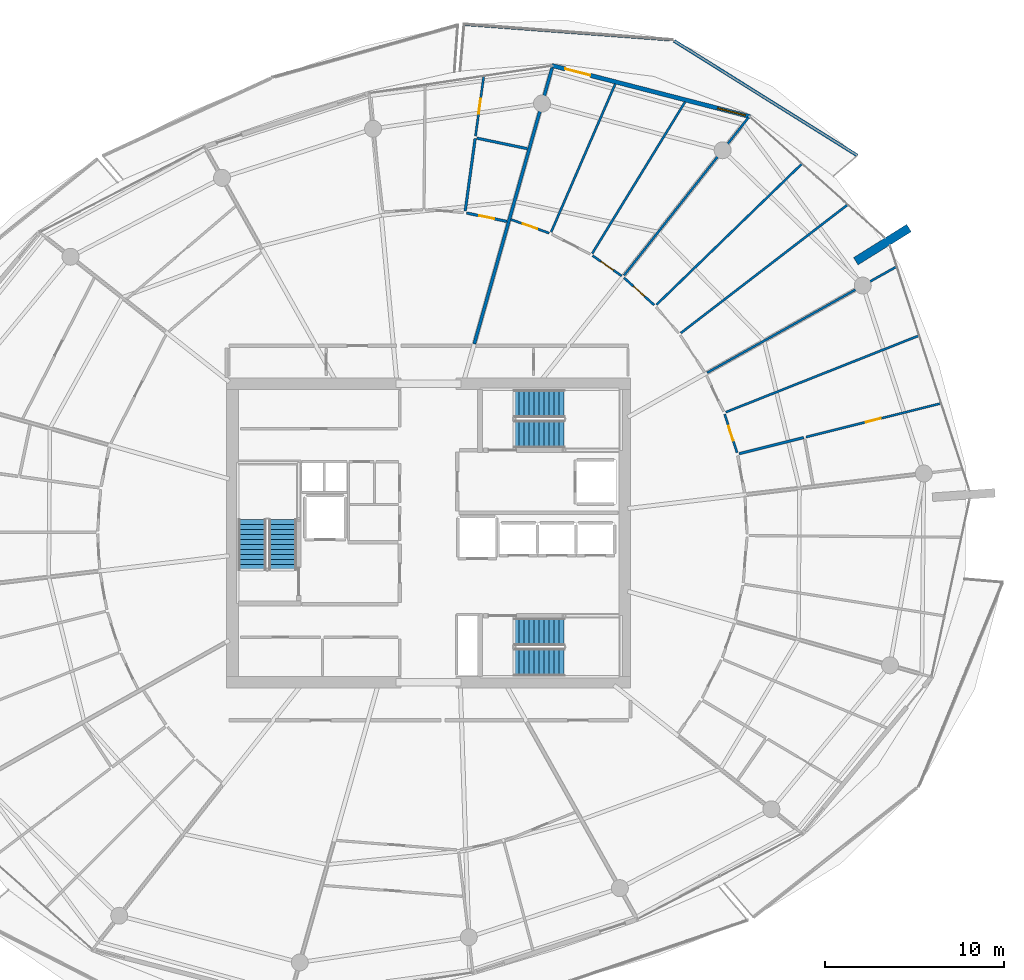
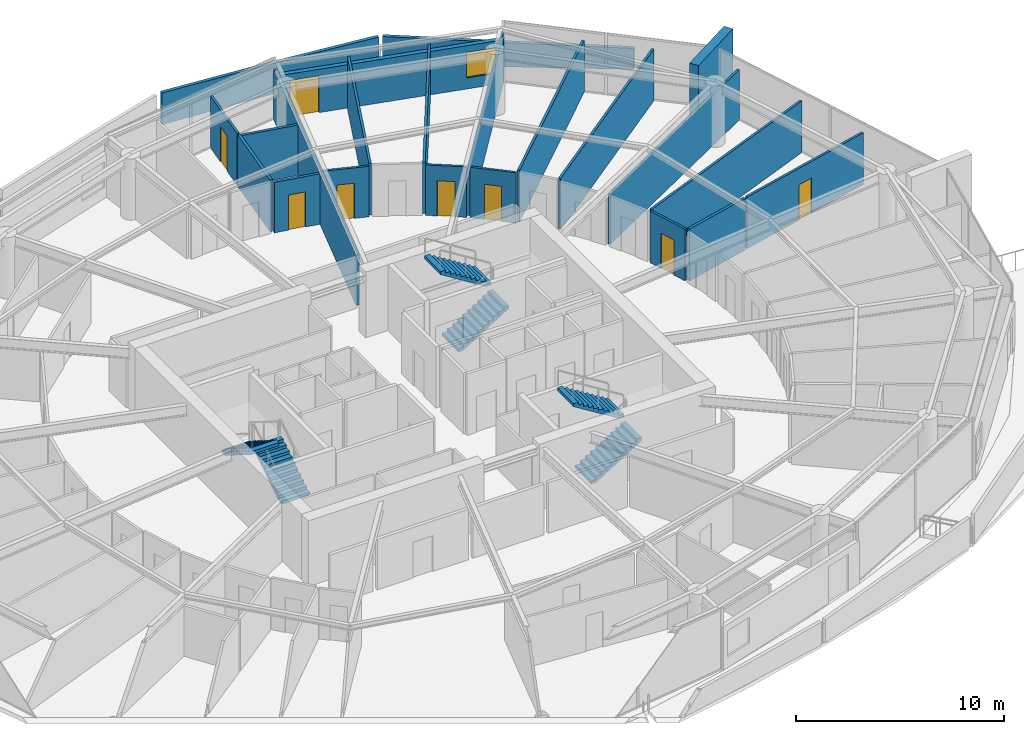
# One storey, part 22 of 29: 22 walls, 8 doors, 6 stair flights, 1 window, 9 openings, 3 elements without a shape of their own.
"""IFC4 building model written with IfcOpenShell, lengths in metres."""

from ifc_helpers import new_model, si_unit, direction, frame, frame_2d, origin, place, context, subcontext, project, spatial, polyline, rectangle, outline, extrude, material, layer, layer_set, type_object, element, fill, aggregate, save


model = new_model("IFC4")

# Units and contexts
model_context = context("Model", 3, precision=1e-05, world=origin(), true_north=direction((0.0, 1.0)))
body_context = subcontext(model_context, "Body", "Model", "MODEL_VIEW")
ifc_project = project(units=[si_unit("LENGTHUNIT", "METRE"), si_unit("AREAUNIT", "SQUARE_METRE"), si_unit("VOLUMEUNIT", "CUBIC_METRE"), si_unit("PLANEANGLEUNIT", "RADIAN"), si_unit("MASSUNIT", "GRAM", prefix="KILO")], contexts=[model_context])

# Site, building, storey
site_placement = place(None, origin())
site = spatial("IfcSite", under=ifc_project, at=site_placement, CompositionType="ELEMENT")
building_placement = place(site_placement, origin())
building = spatial("IfcBuilding", under=site, at=building_placement, Name="Kazma Halo Residences", CompositionType="ELEMENT")
storey_placement = place(building_placement, frame((0.0, 0.0, 252.10009765625)))
storey = spatial("IfcBuildingStorey", under=building, at=storey_placement, Name="L63", CompositionType="ELEMENT", Elevation=252.10009765625)

# Walls
ifc_material_1 = material(Name="White Concrete C50/60 Balustrade", Category="concrete")
ifc_layer_1 = layer(ifc_material_1, 0.179931640625)
ifc_layer_set_1 = layer_set([ifc_layer_1], Name="White Concrete C50/60 Balustrade")
wall_type_1 = type_object("IfcWallType", Name="WL-BAL-WAVE-180", PredefinedType="PARAPET", material=ifc_layer_set_1)
wall_1_placement = place(storey_placement, frame((72.371337890625, 63.073974609375, 0.0), z_axis=(0.0, 0.0, 1.0), x_axis=(-0.847743764475, 0.53040598582, 0.0)))
element("IfcWall", 1, at=wall_1_placement, inside=storey, type_object=wall_type_1, Name="L63 white wave balustrade wall NE.1", PredefinedType="PARAPET", context=body_context, shape_type="SweptSolid", body=[
    extrude(outline(polyline([(0.0, 0.0), (12.07470703125, 0.0), (12.07470703125, 1.6318359375), (6.037353515625, 1.41796875), (0.0, 1.23291015625), (0.0, 0.0)])), frame((0.0, 0.08984375, 0.0), z_axis=(0.0, -1.0, 0.0), x_axis=(1.0, 0.0, 0.0)), (0.0, 0.0, 1.0), 0.179931640625),
])
wall_2_placement = place(storey_placement, frame((61.913818359375, 69.551025390625, 0.0), z_axis=(0.0, 0.0, 1.0), x_axis=(-0.997192518369, 0.074880446769, 0.0)))
element("IfcWall", 2, at=wall_2_placement, inside=storey, type_object=wall_type_1, Name="L63 white wave balustrade wall NE.2", PredefinedType="PARAPET", context=body_context, shape_type="SweptSolid", body=[
    extrude(outline(polyline([(0.0, 0.0), (11.535400390625, 0.0), (11.53515625, 1.85986328125), (5.767578125, 1.7978515625), (0.0, 1.6318359375), (0.0, 0.0)])), frame((0.0, 0.08984375, 0.0), z_axis=(0.0, -1.0, 0.0), x_axis=(1.0, 0.0, 0.0)), (0.0, 0.0, 1.0), 0.179931640625),
])
ifc_material_2 = material(Name="Pale Concrete C60/75", Category="concrete")
ifc_layer_2 = layer(ifc_material_2, 0.47998046875)
ifc_layer_set_2 = layer_set([ifc_layer_2], Name="Pale Concrete C60/75")
wall_type_2 = type_object("IfcWallType", Name="WL-BLADE-480", PredefinedType="SOLIDWALL", material=ifc_layer_set_2)
wall_3_placement = place(storey_placement, frame((72.281494140625, 57.172607421875, 0.0), z_axis=(0.0, 0.0, 1.0), x_axis=(0.848033572426, 0.529942506352, 0.0)))
element("IfcWall", 3, at=wall_3_placement, inside=storey, type_object=wall_type_2, Name="L63 pale concrete structural blade fin wall BW-01", PredefinedType="SOLIDWALL", context=body_context, shape_type="SweptSolid", body=[
    extrude(rectangle(XDim=3.5, YDim=0.47998046875, at=frame_2d((1.75, 0.0))), origin(), (0.0, 0.0, 1.0), 3.849853515625),
])
ifc_material_3 = material(Name="Acoustic Twin-Stud Gypsum")
ifc_layer_3 = layer(ifc_material_3, 0.179931640625)
ifc_layer_set_3 = layer_set([ifc_layer_3], Name="Acoustic Twin-Stud Gypsum")
wall_type_3 = type_object("IfcWallType", Name="WL-DEM-180", PredefinedType="PARTITIONING", material=ifc_layer_set_3)
wall_4_placement = place(storey_placement, frame((50.97705078125, 52.555908203125, 0.0), z_axis=(0.0, 0.0, 1.0), x_axis=(0.271442063103, 0.962454781472, 0.0)))
element("IfcWall", 4, at=wall_4_placement, inside=storey, type_object=wall_type_3, Name="L63 apartment demising radial wall 02", PredefinedType="PARTITIONING", context=body_context, shape_type="SweptSolid", body=[
    extrude(rectangle(XDim=16.016845703125, YDim=0.179931640625, at=frame_2d((8.00830078125, 0.0))), origin(), (0.0, 0.0, 1.0), 2.956787109375),
])

# Wall, openings, door, window
ifc_material_4 = material(Name="Insulated Pale-Metal Composite Wall")
ifc_layer_4 = layer(ifc_material_4, 0.239990234375)
ifc_layer_set_4 = layer_set([ifc_layer_4], Name="Insulated Pale-Metal Composite Wall")
wall_type_4 = type_object("IfcWallType", Name="WL-EXT-HOST-240", PredefinedType="SOLIDWALL", material=ifc_layer_set_4)
wall_5_placement = place(storey_placement, frame((66.386474609375, 65.2490234375, 0.0), z_axis=(0.0, 0.0, 1.0), x_axis=(-0.968343758421, 0.249620442927, 0.0)))
wall_5 = element("IfcWall", 5, at=wall_5_placement, inside=storey, type_object=wall_type_4, Name="L63 exterior terrace-access wall B02", PredefinedType="SOLIDWALL", context=body_context, shape_type="SweptSolid", body=[
    extrude(rectangle(XDim=11.438232421875, YDim=0.239990234375, at=frame_2d((5.71923828125, 0.0))), origin(), (0.0, 0.0, 1.0), 2.539794921875),
])
opening_1_placement = place(wall_5_placement, frame((9.21826171875, 0.0, 0.0)))
opening_1 = element("IfcOpeningElement", 6, at=opening_1_placement, cuts=wall_5, Name="Opening DTR-1600", PredefinedType="OPENING", context=body_context, shape_type="SweptSolid", body=[
    extrude(rectangle(XDim=1.449951171875, YDim=2.14990234375, at=frame_2d((0.72509765625, 1.074951171875))), frame((0.0, 0.1298828125, 0.0), z_axis=(0.0, -1.0, 0.0), x_axis=(1.0, 0.0, 0.0)), (0.0, 0.0, 1.0), 0.260009765625),
])
opening_2_placement = place(wall_5_placement, frame((0.280029296875, 0.0, 0.64990234375)))
opening_2 = element("IfcOpeningElement", 7, at=opening_2_placement, cuts=wall_5, Name="Opening W-1800", PredefinedType="OPENING", context=body_context, shape_type="SweptSolid", body=[
    extrude(rectangle(XDim=1.60009765625, YDim=1.5, at=frame_2d((0.800048828125, 0.75))), frame((0.0, 0.1298828125, 0.0), z_axis=(0.0, -1.0, 0.0), x_axis=(1.0, 0.0, 0.0)), (0.0, 0.0, 1.0), 0.260009765625),
])
ifc_material_5 = material(Name="Aluminium AW-6063 T6 Double-Glazed Terrace Door", Category="aluminium")
door_type_1 = type_object("IfcDoorType", Name="DR-EXT-TERR-1600", OperationType="NOTDEFINED", PredefinedType="DOOR", material=ifc_material_5)
door_1_placement = place(opening_1_placement, origin())
door_1 = element("IfcDoor", 8, at=door_1_placement, inside=storey, type_object=door_type_1, Name="L63 B02 balcony terrace door", OperationType="DOUBLE_DOOR_SLIDING", OverallHeight=2.14990234375, OverallWidth=1.449951171875, PredefinedType="DOOR", context=body_context, shape_type="SweptSolid", body=[
    extrude(rectangle(XDim=1.449951171875, YDim=2.14990234375, at=frame_2d((0.72509765625, 1.074951171875))), frame((0.0, 0.02490234375, 0.0), z_axis=(0.0, -1.0, 0.0), x_axis=(1.0, 0.0, 0.0)), (0.0, 0.0, 1.0), 0.050048828125),
])
fill(opening_1, door_1)
ifc_material_6 = material(Name="Clear Triple-Silver Low-E Glass in Aluminium AW-6063 T6 Frame", Category="aluminium")
window_type = type_object("IfcWindowType", Name="WIN-RES-1800", PartitioningType="DOUBLE_PANEL_VERTICAL", PredefinedType="WINDOW", material=ifc_material_6)
window_placement = place(opening_2_placement, origin())
window = element("IfcWindow", 9, at=window_placement, inside=storey, type_object=window_type, Name="L63 B02 apartment window", OverallHeight=1.5, OverallWidth=1.60009765625, PartitioningType="SINGLE_PANEL", PredefinedType="WINDOW", context=body_context, shape_type="SweptSolid", body=[
    extrude(rectangle(XDim=1.60009765625, YDim=1.5, at=frame_2d((0.800048828125, 0.75))), frame((0.0, 0.030029296875, 0.0), z_axis=(0.0, -1.0, 0.0), x_axis=(1.0, 0.0, 0.0)), (0.0, 0.0, 1.0), 0.06005859375),
])
fill(opening_2, window)

# Wall, opening, door
ifc_material_7 = material(Name="Gypsum Plasterboard Partition")
ifc_layer_5 = layer(ifc_material_7, 0.125)
ifc_layer_set_5 = layer_set([ifc_layer_5], Name="Gypsum Plasterboard Partition")
wall_type_5 = type_object("IfcWallType", Name="WL-PART-125", PredefinedType="PARTITIONING", material=ifc_layer_set_5)
wall_6_placement = place(storey_placement, frame((51.046875, 64.155517578125, 0.0), z_axis=(0.0, 0.0, 1.0), x_axis=(0.13615601298, 0.990687407879, 0.0)))
wall_6 = element("IfcWall", 10, at=wall_6_placement, inside=storey, type_object=wall_type_5, Name="L63 Apartment 1 Utility Laundry Room partition wall", PredefinedType="PARTITIONING", context=body_context, shape_type="SweptSolid", body=[
    extrude(rectangle(XDim=3.36376953125, YDim=0.125, at=frame_2d((1.681884765625, 0.0))), origin(), (0.0, 0.0, 1.0), 3.02978515625),
])
opening_3_placement = place(wall_6_placement, frame((1.2568359375, 0.0, 0.0)))
opening_3 = element("IfcOpeningElement", 11, at=opening_3_placement, cuts=wall_6, Name="Opening DB-900", PredefinedType="OPENING", context=body_context, shape_type="SweptSolid", body=[
    extrude(rectangle(XDim=0.85009765625, YDim=2.06005859375, at=frame_2d((0.425048828125, 1.030029296875))), frame((0.0, 0.072509765625, 0.0), z_axis=(0.0, -1.0, 0.0), x_axis=(1.0, 0.0, 0.0)), (0.0, 0.0, 1.0), 0.14501953125),
])
ifc_material_8 = material(Name="Moisture-Sealed Timber Leaf", Category="wood")
door_type_2 = type_object("IfcDoorType", Name="DR-BTH-900", OperationType="NOTDEFINED", PredefinedType="DOOR", material=ifc_material_8)
door_2_placement = place(opening_3_placement, origin())
door_2 = element("IfcDoor", 12, at=door_2_placement, inside=storey, type_object=door_type_2, Name="L63 Apartment 1 Utility Laundry Room door", OperationType="SINGLE_SWING_LEFT", OverallHeight=2.06005859375, OverallWidth=0.85009765625, PredefinedType="DOOR", context=body_context, shape_type="SweptSolid", body=[
    extrude(rectangle(XDim=0.85009765625, YDim=2.06005859375, at=frame_2d((0.425048828125, 1.030029296875))), frame((0.0, 0.02490234375, 0.0), z_axis=(0.0, -1.0, 0.0), x_axis=(1.0, 0.0, 0.0)), (0.0, 0.0, 1.0), 0.050048828125),
])
fill(opening_3, door_2)

wall_7_placement = place(storey_placement, frame((69.499267578125, 47.3583984375, 0.0), z_axis=(0.0, 0.0, 1.0), x_axis=(0.970319890445, 0.241824957783, 0.0)))
wall_7 = element("IfcWall", 13, at=wall_7_placement, inside=storey, type_object=wall_type_5, Name="L63 Apartment 3 Inner Walk-In Wardrobe partition wall", PredefinedType="PARTITIONING", context=body_context, shape_type="SweptSolid", body=[
    extrude(rectangle(XDim=7.760498046875, YDim=0.125, at=frame_2d((3.88037109375, 0.0))), origin(), (0.0, 0.0, 1.0), 3.02978515625),
])
opening_4_placement = place(wall_7_placement, frame((3.455322265625, 0.0, 0.0)))
opening_4 = element("IfcOpeningElement", 14, at=opening_4_placement, cuts=wall_7, Name="Opening DB-900", PredefinedType="OPENING", context=body_context, shape_type="SweptSolid", body=[
    extrude(rectangle(XDim=0.85009765625, YDim=2.06005859375, at=frame_2d((0.425048828125, 1.030029296875))), frame((0.0, 0.072509765625, 0.0), z_axis=(0.0, -1.0, 0.0), x_axis=(1.0, 0.0, 0.0)), (0.0, 0.0, 1.0), 0.14501953125),
])
door_3_placement = place(opening_4_placement, origin())
door_3 = element("IfcDoor", 15, at=door_3_placement, inside=storey, type_object=door_type_2, Name="L63 Apartment 3 Inner Walk-In Wardrobe door", OperationType="SINGLE_SWING_RIGHT", OverallHeight=2.06005859375, OverallWidth=0.85009765625, PredefinedType="DOOR", context=body_context, shape_type="SweptSolid", body=[
    extrude(rectangle(XDim=0.85009765625, YDim=2.06005859375, at=frame_2d((0.425048828125, 1.030029296875))), frame((0.0, 0.02490234375, 0.0), z_axis=(0.0, -1.0, 0.0), x_axis=(1.0, 0.0, 0.0)), (0.0, 0.0, 1.0), 0.050048828125),
])
fill(opening_4, door_3)

# Wall
wall_8_placement = place(storey_placement, frame((65.018798828125, 48.74609375, 0.0), z_axis=(0.0, 0.0, 1.0), x_axis=(0.929633611817, 0.368485207003, 0.0)))
element("IfcWall", 16, at=wall_8_placement, inside=storey, type_object=wall_type_5, Name="L63 Apartment 3 suite divider 15", PredefinedType="PARTITIONING", context=body_context, shape_type="SweptSolid", body=[
    extrude(rectangle(XDim=11.597412109375, YDim=0.125, at=frame_2d((5.798828125, 0.0))), origin(), (0.0, 0.0, 1.0), 3.02978515625),
])

# Wall, opening, door
wall_9_placement = place(storey_placement, frame((65.648681640625, 46.4912109375, 0.0), z_axis=(0.0, 0.0, 1.0), x_axis=(-0.30574263326, 0.952114195991, 0.0)))
wall_9 = element("IfcWall", 17, at=wall_9_placement, inside=storey, type_object=wall_type_5, Name="L63 Apartment 3 Outer Formal Dining Room hall wall", PredefinedType="PARTITIONING", context=body_context, shape_type="SweptSolid", body=[
    extrude(rectangle(XDim=2.25341796875, YDim=0.125, at=frame_2d((1.126708984375, 0.0))), origin(), (0.0, 0.0, 1.0), 3.02978515625),
])
opening_5_placement = place(wall_9_placement, frame((0.70166015625, 0.0, 0.0)))
opening_5 = element("IfcOpeningElement", 18, at=opening_5_placement, cuts=wall_9, Name="Opening DB-900", PredefinedType="OPENING", context=body_context, shape_type="SweptSolid", body=[
    extrude(rectangle(XDim=0.85009765625, YDim=2.06005859375, at=frame_2d((0.425048828125, 1.030029296875))), frame((0.0, 0.072509765625, 0.0), z_axis=(0.0, -1.0, 0.0), x_axis=(1.0, 0.0, 0.0)), (0.0, 0.0, 1.0), 0.14501953125),
])
door_4_placement = place(opening_5_placement, origin())
door_4 = element("IfcDoor", 19, at=door_4_placement, inside=storey, type_object=door_type_2, Name="L63 Apartment 3 Outer Formal Dining Room door", OperationType="SINGLE_SWING_LEFT", OverallHeight=2.06005859375, OverallWidth=0.85009765625, PredefinedType="DOOR", context=body_context, shape_type="SweptSolid", body=[
    extrude(rectangle(XDim=0.85009765625, YDim=2.06005859375, at=frame_2d((0.425048828125, 1.030029296875))), frame((0.0, 0.02490234375, 0.0), z_axis=(0.0, -1.0, 0.0), x_axis=(1.0, 0.0, 0.0)), (0.0, 0.0, 1.0), 0.050048828125),
])
fill(opening_5, door_4)

# Walls
wall_10_placement = place(storey_placement, frame((63.9814453125, 50.9501953125, 0.0), z_axis=(0.0, 0.0, 1.0), x_axis=(0.872499829235, 0.488614416473, 0.0)))
element("IfcWall", 20, at=wall_10_placement, inside=storey, type_object=wall_type_5, Name="L63 Apartment 3 radial partition 0", PredefinedType="PARTITIONING", context=body_context, shape_type="SweptSolid", body=[
    extrude(rectangle(XDim=12.11279296875, YDim=0.125, at=frame_2d((6.056396484375, 0.0))), origin(), (0.0, 0.0, 1.0), 2.956787109375),
])
wall_11_placement = place(storey_placement, frame((62.50927734375, 53.16357421875, 0.0), z_axis=(0.0, 0.0, 1.0), x_axis=(0.792562111758, 0.609791192955, 0.0)))
element("IfcWall", 21, at=wall_11_placement, inside=storey, type_object=wall_type_5, Name="L63 Apartment 3 bay wall 1 0", PredefinedType="PARTITIONING", context=body_context, shape_type="SweptSolid", body=[
    extrude(rectangle(XDim=11.73486328125, YDim=0.125, at=frame_2d((5.867431640625, 0.0))), origin(), (0.0, 0.0, 1.0), 3.02978515625),
])
wall_12_placement = place(storey_placement, frame((61.146728515625, 54.739990234375, 0.0), z_axis=(0.0, 0.0, 1.0), x_axis=(0.718123814737, 0.695915358868, 0.0)))
element("IfcWall", 22, at=wall_12_placement, inside=storey, type_object=wall_type_5, Name="L63 Apartment 3 bay wall 2 0", PredefinedType="PARTITIONING", context=body_context, shape_type="SweptSolid", body=[
    extrude(rectangle(XDim=11.301025390625, YDim=0.125, at=frame_2d((5.650390625, 0.0))), origin(), (0.0, 0.0, 1.0), 3.02978515625),
])

# Wall, opening, door
wall_13_placement = place(storey_placement, frame((61.022705078125, 54.73095703125, 0.0), z_axis=(0.0, 0.0, 1.0), x_axis=(-0.742261355739, 0.670110498184, 0.0)))
wall_13 = element("IfcWall", 23, at=wall_13_placement, inside=storey, type_object=wall_type_5, Name="L63 Apartment 3 Secondary Bedroom hall wall", PredefinedType="PARTITIONING", context=body_context, shape_type="SweptSolid", body=[
    extrude(rectangle(XDim=2.2705078125, YDim=0.125, at=frame_2d((1.13525390625, 0.0))), origin(), (0.0, 0.0, 1.0), 2.956787109375),
])
opening_6_placement = place(wall_13_placement, frame((0.710205078125, 0.0, 0.0)))
opening_6 = element("IfcOpeningElement", 24, at=opening_6_placement, cuts=wall_13, Name="Opening DB-900", PredefinedType="OPENING", context=body_context, shape_type="SweptSolid", body=[
    extrude(rectangle(XDim=0.85009765625, YDim=2.06005859375, at=frame_2d((0.425048828125, 1.030029296875))), frame((0.0, 0.072509765625, 0.0), z_axis=(0.0, -1.0, 0.0), x_axis=(1.0, 0.0, 0.0)), (0.0, 0.0, 1.0), 0.14501953125),
])
door_5_placement = place(opening_6_placement, origin())
door_5 = element("IfcDoor", 25, at=door_5_placement, inside=storey, type_object=door_type_2, Name="L63 Apartment 3 Secondary Bedroom door", OperationType="SINGLE_SWING_LEFT", OverallHeight=2.06005859375, OverallWidth=0.85009765625, PredefinedType="DOOR", context=body_context, shape_type="SweptSolid", body=[
    extrude(rectangle(XDim=0.85009765625, YDim=2.06005859375, at=frame_2d((0.425048828125, 1.030029296875))), frame((0.0, 0.02490234375, 0.0), z_axis=(0.0, -1.0, 0.0), x_axis=(1.0, 0.0, 0.0)), (0.0, 0.0, 1.0), 0.050048828125),
])
fill(opening_6, door_5)

# Walls
wall_14_placement = place(storey_placement, frame((59.33984375, 56.384521484375, 0.0), z_axis=(0.0, 0.0, 1.0), x_axis=(0.619096007185, 0.785315308579, 0.0)))
element("IfcWall", 26, at=wall_14_placement, inside=storey, type_object=wall_type_5, Name="L63 Apartment 3 radial partition 1", PredefinedType="PARTITIONING", context=body_context, shape_type="SweptSolid", body=[
    extrude(rectangle(XDim=11.27880859375, YDim=0.125, at=frame_2d((5.639404296875, 0.0))), origin(), (0.0, 0.0, 1.0), 2.956787109375),
])
wall_15_placement = place(storey_placement, frame((57.5654296875, 57.609130859375, 0.0), z_axis=(0.0, 0.0, 1.0), x_axis=(0.522482381921, 0.852650080972, 0.0)))
element("IfcWall", 27, at=wall_15_placement, inside=storey, type_object=wall_type_5, Name="L63 Apartment 3 bay wall 1 1", PredefinedType="PARTITIONING", context=body_context, shape_type="SweptSolid", body=[
    extrude(rectangle(XDim=9.916015625, YDim=0.125, at=frame_2d((4.9580078125, 0.0))), origin(), (0.0, 0.0, 1.0), 3.02978515625),
])
wall_16_placement = place(storey_placement, frame((55.2705078125, 58.80126953125, 0.0), z_axis=(0.0, 0.0, 1.0), x_axis=(0.397153136179, 0.917752355716, 0.0)))
element("IfcWall", 28, at=wall_16_placement, inside=storey, type_object=wall_type_5, Name="L63 Apartment 3 bay wall 2 1", PredefinedType="PARTITIONING", context=body_context, shape_type="SweptSolid", body=[
    extrude(rectangle(XDim=9.00439453125, YDim=0.125, at=frame_2d((4.502197265625, 0.0))), origin(), (0.0, 0.0, 1.0), 3.02978515625),
])

# Wall, opening, door
wall_17_placement = place(storey_placement, frame((59.21240234375, 56.351806640625, 0.0), z_axis=(0.0, 0.0, 1.0), x_axis=(-0.820385927757, 0.571810221611, 0.0)))
wall_17 = element("IfcWall", 29, at=wall_17_placement, inside=storey, type_object=wall_type_5, Name="L63 Apartment 3 North Bedroom hall wall", PredefinedType="PARTITIONING", context=body_context, shape_type="SweptSolid", body=[
    extrude(rectangle(XDim=1.98486328125, YDim=0.125, at=frame_2d((0.992431640625, 0.0))), origin(), (0.0, 0.0, 1.0), 2.956787109375),
])
opening_7_placement = place(wall_17_placement, frame((0.5673828125, 0.0, 0.0)))
opening_7 = element("IfcOpeningElement", 30, at=opening_7_placement, cuts=wall_17, Name="Opening DB-900", PredefinedType="OPENING", context=body_context, shape_type="SweptSolid", body=[
    extrude(rectangle(XDim=0.85009765625, YDim=2.06005859375, at=frame_2d((0.425048828125, 1.030029296875))), frame((0.0, 0.072509765625, 0.0), z_axis=(0.0, -1.0, 0.0), x_axis=(1.0, 0.0, 0.0)), (0.0, 0.0, 1.0), 0.14501953125),
])
door_6_placement = place(opening_7_placement, origin())
door_6 = element("IfcDoor", 31, at=door_6_placement, inside=storey, type_object=door_type_2, Name="L63 Apartment 3 North Bedroom door", OperationType="SINGLE_SWING_RIGHT", OverallHeight=2.06005859375, OverallWidth=0.85009765625, PredefinedType="DOOR", context=body_context, shape_type="SweptSolid", body=[
    extrude(rectangle(XDim=0.85009765625, YDim=2.06005859375, at=frame_2d((0.425048828125, 1.030029296875))), frame((0.0, 0.02490234375, 0.0), z_axis=(0.0, -1.0, 0.0), x_axis=(1.0, 0.0, 0.0)), (0.0, 0.0, 1.0), 0.050048828125),
])
fill(opening_7, door_6)

wall_18_placement = place(storey_placement, frame((55.159423828125, 58.74560546875, 0.0), z_axis=(0.0, 0.0, 1.0), x_axis=(-0.942227512781, 0.334973602181, 0.0)))
wall_18 = element("IfcWall", 32, at=wall_18_placement, inside=storey, type_object=wall_type_5, Name="L63 Apartment 3 Inner Bedroom hall wall", PredefinedType="PARTITIONING", context=body_context, shape_type="SweptSolid", body=[
    extrude(rectangle(XDim=2.270263671875, YDim=0.125, at=frame_2d((1.13525390625, 0.0))), origin(), (0.0, 0.0, 1.0), 2.956787109375),
])
opening_8_placement = place(wall_18_placement, frame((0.710205078125, 0.0, 0.0)))
opening_8 = element("IfcOpeningElement", 33, at=opening_8_placement, cuts=wall_18, Name="Opening DB-900", PredefinedType="OPENING", context=body_context, shape_type="SweptSolid", body=[
    extrude(rectangle(XDim=0.85009765625, YDim=2.06005859375, at=frame_2d((0.425048828125, 1.030029296875))), frame((0.0, 0.072509765625, 0.0), z_axis=(0.0, -1.0, 0.0), x_axis=(1.0, 0.0, 0.0)), (0.0, 0.0, 1.0), 0.14501953125),
])
door_7_placement = place(opening_8_placement, origin())
door_7 = element("IfcDoor", 34, at=door_7_placement, inside=storey, type_object=door_type_2, Name="L63 Apartment 3 Inner Bedroom door", OperationType="SINGLE_SWING_RIGHT", OverallHeight=2.06005859375, OverallWidth=0.85009765625, PredefinedType="DOOR", context=body_context, shape_type="SweptSolid", body=[
    extrude(rectangle(XDim=0.85009765625, YDim=2.06005859375, at=frame_2d((0.425048828125, 1.030029296875))), frame((0.0, 0.02490234375, 0.0), z_axis=(0.0, -1.0, 0.0), x_axis=(1.0, 0.0, 0.0)), (0.0, 0.0, 1.0), 0.050048828125),
])
fill(opening_8, door_7)

ifc_material_9 = material(Name="Moisture-Resistant Gypsum")
ifc_layer_6 = layer(ifc_material_9, 0.14990234375)
ifc_layer_set_6 = layer_set([ifc_layer_6], Name="Moisture-Resistant Gypsum")
wall_type_6 = type_object("IfcWallType", Name="WL-WET-150", PredefinedType="PARTITIONING", material=ifc_layer_set_6)
wall_19_placement = place(storey_placement, frame((52.802734375, 59.396484375, 0.0), z_axis=(0.0, 0.0, 1.0), x_axis=(-0.978903645483, 0.204322423784, 0.0)))
wall_19 = element("IfcWall", 35, at=wall_19_placement, inside=storey, type_object=wall_type_6, Name="L63 Apartment 1 Guest Bathroom hall wall", PredefinedType="PARTITIONING", context=body_context, shape_type="SweptSolid", body=[
    extrude(rectangle(XDim=2.3037109375, YDim=0.14990234375, at=frame_2d((1.15185546875, 0.0))), origin(), (0.0, 0.0, 1.0), 2.956787109375),
])
opening_9_placement = place(wall_19_placement, frame((0.726806640625, 0.0, 0.0)))
opening_9 = element("IfcOpeningElement", 36, at=opening_9_placement, cuts=wall_19, Name="Opening DB-900", PredefinedType="OPENING", context=body_context, shape_type="SweptSolid", body=[
    extrude(rectangle(XDim=0.85009765625, YDim=2.06005859375, at=frame_2d((0.425048828125, 1.030029296875))), frame((0.0, 0.0849609375, 0.0), z_axis=(0.0, -1.0, 0.0), x_axis=(1.0, 0.0, 0.0)), (0.0, 0.0, 1.0), 0.169921875),
])
door_8_placement = place(opening_9_placement, origin())
door_8 = element("IfcDoor", 37, at=door_8_placement, inside=storey, type_object=door_type_2, Name="L63 Apartment 1 Guest Bathroom door", OperationType="SINGLE_SWING_RIGHT", OverallHeight=2.06005859375, OverallWidth=0.85009765625, PredefinedType="DOOR", context=body_context, shape_type="SweptSolid", body=[
    extrude(rectangle(XDim=0.85009765625, YDim=2.06005859375, at=frame_2d((0.425048828125, 1.030029296875))), frame((0.0, 0.02490234375, 0.0), z_axis=(0.0, -1.0, 0.0), x_axis=(1.0, 0.0, 0.0)), (0.0, 0.0, 1.0), 0.050048828125),
])
fill(opening_9, door_8)

# Walls
wall_20_placement = place(storey_placement, frame((53.9482421875, 63.4580078125, 0.0), z_axis=(0.0, 0.0, 1.0), x_axis=(-0.978900129076, 0.204339270075, 0.0)))
element("IfcWall", 38, at=wall_20_placement, inside=storey, type_object=wall_type_6, Name="L63 Apartment 1 Guest Bathroom back wall", PredefinedType="PARTITIONING", context=body_context, shape_type="SweptSolid", body=[
    extrude(rectangle(XDim=2.886474609375, YDim=0.14990234375, at=frame_2d((1.443359375, 0.0))), origin(), (0.0, 0.0, 1.0), 2.956787109375),
])
wall_21_placement = place(storey_placement, frame((50.471923828125, 59.974853515625, 0.0), z_axis=(0.0, 0.0, 1.0), x_axis=(0.136221269786, 0.990678437061, 0.0)))
element("IfcWall", 39, at=wall_21_placement, inside=storey, type_object=wall_type_6, Name="L63 Apartment 1 Guest Bathroom side wall", PredefinedType="PARTITIONING", context=body_context, shape_type="SweptSolid", body=[
    extrude(rectangle(XDim=4.08984375, YDim=0.14990234375, at=frame_2d((2.044921875, 0.0))), origin(), (0.0, 0.0, 1.0), 3.02978515625),
])
wall_22_placement = place(storey_placement, frame((65.763671875, 46.42724609375, 0.0), z_axis=(0.0, 0.0, 1.0), x_axis=(0.970315973529, 0.241840673822, 0.0)))
element("IfcWall", 40, at=wall_22_placement, inside=storey, type_object=wall_type_6, Name="L63 Apartment 3 South En-Suite Bathroom side wall", PredefinedType="PARTITIONING", context=body_context, shape_type="SweptSolid", body=[
    extrude(rectangle(XDim=3.719970703125, YDim=0.14990234375, at=frame_2d((1.85986328125, 0.0))), origin(), (0.0, 0.0, 1.0), 3.02978515625),
])

# Stair, stair flights
ifc_material_10 = material(Name="Concrete C50/60", Category="concrete")
stair_type = type_object("IfcStairType", Name="STR-RES2", PredefinedType="HALF_TURN_STAIR", material=ifc_material_10)
stair_1_placement = place(storey_placement, origin())
stair_1 = element("IfcStair", 41, at=stair_1_placement, inside=storey, type_object=stair_type, Name="L63 Core exit stair ST-01", PredefinedType="HALF_TURN_STAIR")
stair_flight_type = type_object("IfcStairFlightType", Name="STR-RES2-FLT", PredefinedType="STRAIGHT", material=ifc_material_10)
stair_flight_1_placement = place(storey_placement, frame((40.27490234375, 39.949951171875, 0.0), z_axis=(0.0, 0.0, 1.0), x_axis=(0.0, 1.0, 0.0)))
stair_flight_1 = element("IfcStairFlight", 42, at=stair_flight_1_placement, type_object=stair_flight_type, Name="ST-01 flight 1", NumberOfRisers=11, NumberOfTreads=10, PredefinedType="STRAIGHT", RiserHeight=0.175, TreadLength=0.28, context=body_context, shape_type="SweptSolid", body=[
    extrude(outline(polyline([(0.0, 0.0), (0.0, 0.175048828125), (0.280029296875, 0.175048828125), (0.280029296875, 0.35009765625), (0.56005859375, 0.35009765625), (0.56005859375, 0.52490234375), (0.840087890625, 0.52490234375), (0.840087890625, 0.699951171875), (1.1201171875, 0.699951171875), (1.1201171875, 0.875), (1.39990234375, 0.875), (1.39990234375, 1.050048828125), (1.679931640625, 1.050048828125), (1.679931640625, 1.22509765625), (1.9599609375, 1.22509765625), (1.9599609375, 1.39990234375), (2.239990234375, 1.39990234375), (2.239990234375, 1.574951171875), (2.52001953125, 1.574951171875), (2.52001953125, 1.75), (2.800048828125, 1.75), (2.800048828125, 1.925048828125), (2.800048828125, 1.5732421875), (0.28271484375, 0.0), (0.0, 0.0)])), frame((0.0, 0.77490234375, 0.0), z_axis=(0.0, -1.0, 0.0), x_axis=(1.0, 0.0, 0.0)), (0.0, 0.0, 1.0), 1.550048828125),
])
stair_flight_2_placement = place(storey_placement, frame((38.574951171875, 42.75, 1.9248046875), z_axis=(0.0, 0.0, 1.0), x_axis=(0.0, -1.0, 0.0)))
stair_flight_2 = element("IfcStairFlight", 43, at=stair_flight_2_placement, type_object=stair_flight_type, Name="ST-01 flight 2", NumberOfRisers=11, NumberOfTreads=10, PredefinedType="STRAIGHT", RiserHeight=0.175, TreadLength=0.28, context=body_context, shape_type="SweptSolid", body=[
    extrude(outline(polyline([(0.0, 0.0), (0.0, 0.175048828125), (0.280029296875, 0.175048828125), (0.280029296875, 0.35009765625), (0.56005859375, 0.35009765625), (0.56005859375, 0.52490234375), (0.840087890625, 0.52490234375), (0.840087890625, 0.699951171875), (1.1201171875, 0.699951171875), (1.1201171875, 0.875), (1.39990234375, 0.875), (1.39990234375, 1.050048828125), (1.679931640625, 1.050048828125), (1.679931640625, 1.22509765625), (1.9599609375, 1.22509765625), (1.9599609375, 1.39990234375), (2.239990234375, 1.39990234375), (2.239990234375, 1.574951171875), (2.52001953125, 1.574951171875), (2.52001953125, 1.75), (2.800048828125, 1.75), (2.800048828125, 1.925048828125), (2.800048828125, 1.5732421875), (0.28271484375, 0.0), (0.0, 0.0)])), frame((0.0, 0.77490234375, 0.0), z_axis=(0.0, -1.0, 0.0), x_axis=(1.0, 0.0, 0.0)), (0.0, 0.0, 1.0), 1.550048828125),
])
aggregate(stair_1, [stair_flight_1, stair_flight_2])

stair_2_placement = place(storey_placement, origin())
stair_2 = element("IfcStair", 44, at=stair_2_placement, inside=storey, type_object=stair_type, Name="L63 Core exit stair ST-02", PredefinedType="HALF_TURN_STAIR")
stair_flight_3_placement = place(storey_placement, frame((53.199951171875, 47.52490234375, 0.0), z_axis=(0.0, 0.0, 1.0), x_axis=(1.0, 0.0, 0.0)))
stair_flight_3 = element("IfcStairFlight", 45, at=stair_flight_3_placement, type_object=stair_flight_type, Name="ST-02 flight 1", NumberOfRisers=11, NumberOfTreads=10, PredefinedType="STRAIGHT", RiserHeight=0.175, TreadLength=0.28, context=body_context, shape_type="SweptSolid", body=[
    extrude(outline(polyline([(0.0, 0.0), (0.0, 0.175048828125), (0.280029296875, 0.175048828125), (0.280029296875, 0.35009765625), (0.56005859375, 0.35009765625), (0.56005859375, 0.52490234375), (0.840087890625, 0.52490234375), (0.840087890625, 0.699951171875), (1.1201171875, 0.699951171875), (1.1201171875, 0.875), (1.39990234375, 0.875), (1.39990234375, 1.050048828125), (1.679931640625, 1.050048828125), (1.679931640625, 1.22509765625), (1.9599609375, 1.22509765625), (1.9599609375, 1.39990234375), (2.239990234375, 1.39990234375), (2.239990234375, 1.574951171875), (2.52001953125, 1.574951171875), (2.52001953125, 1.75), (2.800048828125, 1.75), (2.800048828125, 1.925048828125), (2.800048828125, 1.5732421875), (0.28271484375, 0.0), (0.0, 0.0)])), frame((0.0, 0.77490234375, 0.0), z_axis=(0.0, -1.0, 0.0), x_axis=(1.0, 0.0, 0.0)), (0.0, 0.0, 1.0), 1.550048828125),
])
stair_flight_4_placement = place(storey_placement, frame((56.0, 49.22509765625, 1.9248046875), z_axis=(0.0, 0.0, 1.0), x_axis=(-1.0, 0.0, 0.0)))
stair_flight_4 = element("IfcStairFlight", 46, at=stair_flight_4_placement, type_object=stair_flight_type, Name="ST-02 flight 2", NumberOfRisers=11, NumberOfTreads=10, PredefinedType="STRAIGHT", RiserHeight=0.175, TreadLength=0.28, context=body_context, shape_type="SweptSolid", body=[
    extrude(outline(polyline([(0.0, 0.0), (0.0, 0.175048828125), (0.280029296875, 0.175048828125), (0.280029296875, 0.35009765625), (0.56005859375, 0.35009765625), (0.56005859375, 0.52490234375), (0.840087890625, 0.52490234375), (0.840087890625, 0.699951171875), (1.1201171875, 0.699951171875), (1.1201171875, 0.875), (1.39990234375, 0.875), (1.39990234375, 1.050048828125), (1.679931640625, 1.050048828125), (1.679931640625, 1.22509765625), (1.9599609375, 1.22509765625), (1.9599609375, 1.39990234375), (2.239990234375, 1.39990234375), (2.239990234375, 1.574951171875), (2.52001953125, 1.574951171875), (2.52001953125, 1.75), (2.800048828125, 1.75), (2.800048828125, 1.925048828125), (2.800048828125, 1.5732421875), (0.28271484375, 0.0), (0.0, 0.0)])), frame((0.0, 0.77490234375, 0.0), z_axis=(0.0, -1.0, 0.0), x_axis=(1.0, 0.0, 0.0)), (0.0, 0.0, 1.0), 1.550048828125),
])
aggregate(stair_2, [stair_flight_3, stair_flight_4])

stair_3_placement = place(storey_placement, origin())
stair_3 = element("IfcStair", 47, at=stair_3_placement, inside=storey, type_object=stair_type, Name="L63 Core exit stair ST-03", PredefinedType="HALF_TURN_STAIR")
stair_flight_5_placement = place(storey_placement, frame((53.199951171875, 34.77490234375, 0.0), z_axis=(0.0, 0.0, 1.0), x_axis=(1.0, 0.0, 0.0)))
stair_flight_5 = element("IfcStairFlight", 48, at=stair_flight_5_placement, type_object=stair_flight_type, Name="ST-03 flight 1", NumberOfRisers=11, NumberOfTreads=10, PredefinedType="STRAIGHT", RiserHeight=0.175, TreadLength=0.28, context=body_context, shape_type="SweptSolid", body=[
    extrude(outline(polyline([(0.0, 0.0), (0.0, 0.175048828125), (0.280029296875, 0.175048828125), (0.280029296875, 0.35009765625), (0.56005859375, 0.35009765625), (0.56005859375, 0.52490234375), (0.840087890625, 0.52490234375), (0.840087890625, 0.699951171875), (1.1201171875, 0.699951171875), (1.1201171875, 0.875), (1.39990234375, 0.875), (1.39990234375, 1.050048828125), (1.679931640625, 1.050048828125), (1.679931640625, 1.22509765625), (1.9599609375, 1.22509765625), (1.9599609375, 1.39990234375), (2.239990234375, 1.39990234375), (2.239990234375, 1.574951171875), (2.52001953125, 1.574951171875), (2.52001953125, 1.75), (2.800048828125, 1.75), (2.800048828125, 1.925048828125), (2.800048828125, 1.5732421875), (0.28271484375, 0.0), (0.0, 0.0)])), frame((0.0, 0.77490234375, 0.0), z_axis=(0.0, -1.0, 0.0), x_axis=(1.0, 0.0, 0.0)), (0.0, 0.0, 1.0), 1.550048828125),
])
stair_flight_6_placement = place(storey_placement, frame((56.0, 36.47509765625, 1.9248046875), z_axis=(0.0, 0.0, 1.0), x_axis=(-1.0, 0.0, 0.0)))
stair_flight_6 = element("IfcStairFlight", 49, at=stair_flight_6_placement, type_object=stair_flight_type, Name="ST-03 flight 2", NumberOfRisers=11, NumberOfTreads=10, PredefinedType="STRAIGHT", RiserHeight=0.175, TreadLength=0.28, context=body_context, shape_type="SweptSolid", body=[
    extrude(outline(polyline([(0.0, 0.0), (0.0, 0.175048828125), (0.280029296875, 0.175048828125), (0.280029296875, 0.35009765625), (0.56005859375, 0.35009765625), (0.56005859375, 0.52490234375), (0.840087890625, 0.52490234375), (0.840087890625, 0.699951171875), (1.1201171875, 0.699951171875), (1.1201171875, 0.875), (1.39990234375, 0.875), (1.39990234375, 1.050048828125), (1.679931640625, 1.050048828125), (1.679931640625, 1.22509765625), (1.9599609375, 1.22509765625), (1.9599609375, 1.39990234375), (2.239990234375, 1.39990234375), (2.239990234375, 1.574951171875), (2.52001953125, 1.574951171875), (2.52001953125, 1.75), (2.800048828125, 1.75), (2.800048828125, 1.925048828125), (2.800048828125, 1.5732421875), (0.28271484375, 0.0), (0.0, 0.0)])), frame((0.0, 0.77490234375, 0.0), z_axis=(0.0, -1.0, 0.0), x_axis=(1.0, 0.0, 0.0)), (0.0, 0.0, 1.0), 1.550048828125),
])
aggregate(stair_3, [stair_flight_5, stair_flight_6])

save(model, "model.ifc")
